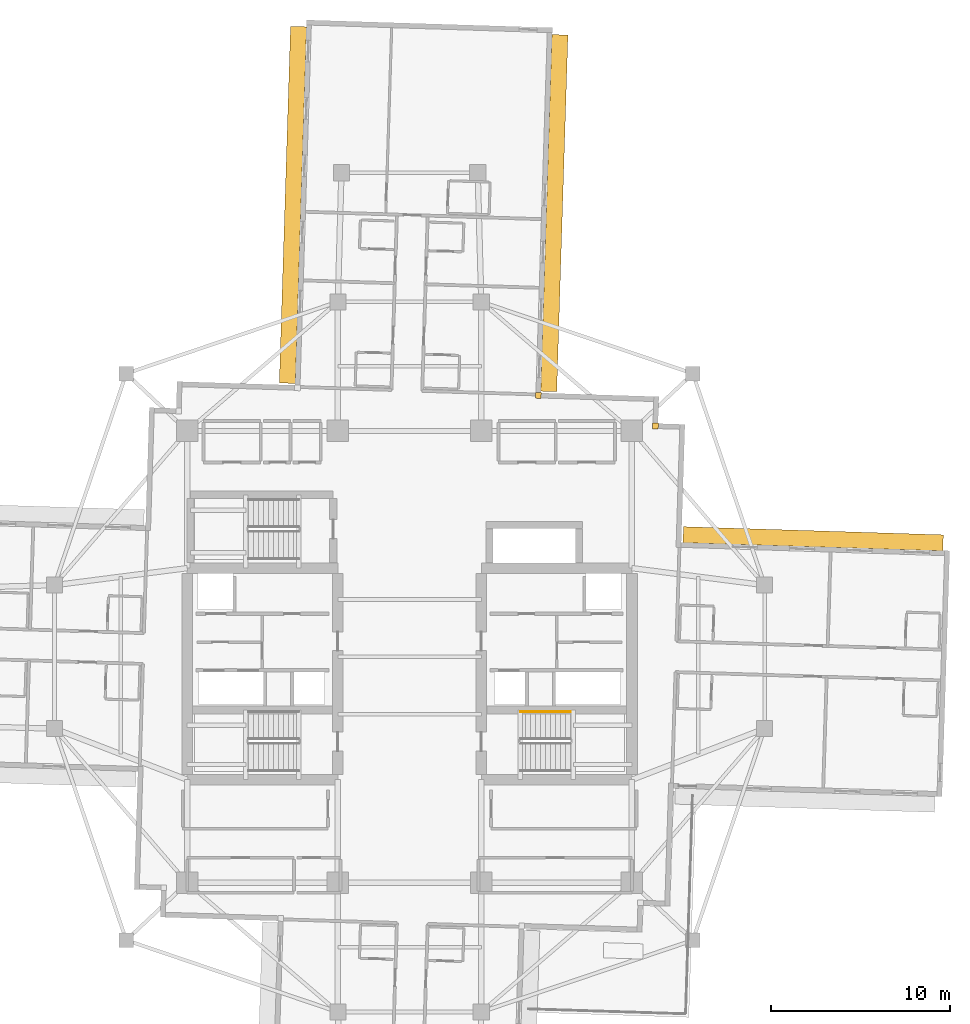
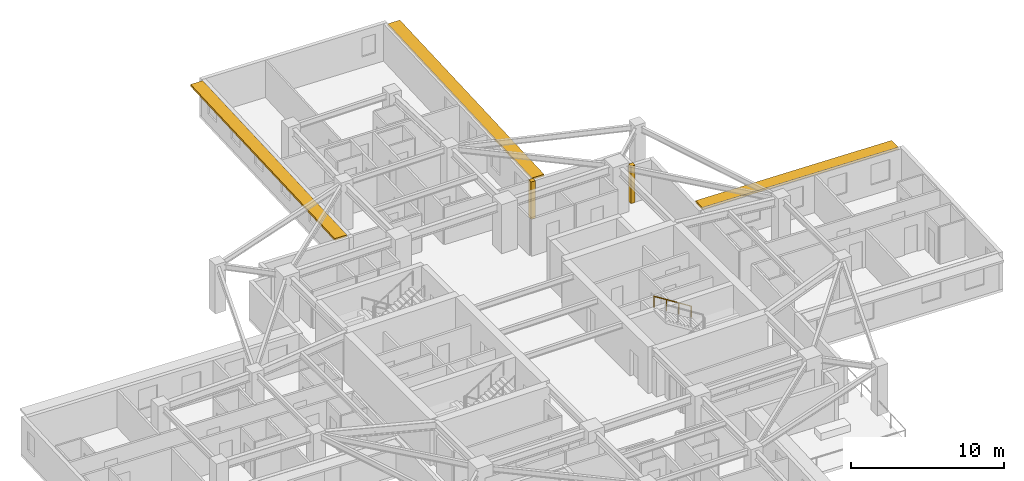
# One storey, part 14 of 14: 3 shading devices, 2 coverings, 1 railing.
"""IFC4 building model written with IfcOpenShell, lengths in metres."""

from ifc_helpers import new_model, si_unit, direction, frame, origin, origin_2d, place, context, subcontext, project, spatial, rectangle, circle, extrude, material, layer, layer_set, type_object, element, save


model = new_model("IFC4")

# Units and contexts
model_context = context("Model", 3, precision=1e-05, world=origin(), true_north=direction((0.0, 1.0)))
body_context = subcontext(model_context, "Body", "Model", "MODEL_VIEW")
ifc_project = project(units=[si_unit("LENGTHUNIT", "METRE"), si_unit("AREAUNIT", "SQUARE_METRE"), si_unit("VOLUMEUNIT", "CUBIC_METRE"), si_unit("PLANEANGLEUNIT", "RADIAN"), si_unit("MASSUNIT", "GRAM", prefix="KILO")], contexts=[model_context])

# Site, building, storey
site_placement = place(None, origin())
site = spatial("IfcSite", under=ifc_project, at=site_placement, CompositionType="ELEMENT")
building_placement = place(site_placement, origin())
building = spatial("IfcBuilding", under=site, at=building_placement, Name="Qingluan Cross Belvedere", CompositionType="ELEMENT")
storey_placement = place(building_placement, frame((0.0, 0.0, 176.10009765625)))
storey = spatial("IfcBuildingStorey", under=building, at=storey_placement, Name="L44", CompositionType="ELEMENT", Elevation=176.10009765625)

# Coverings
ifc_material_1 = material(Name="Precast concrete C45", Category="concrete")
ifc_layer_1 = layer(ifc_material_1, 0.1201171875, Name="ConcreteSpandrelCladding_120")
ifc_layer_set_1 = layer_set([ifc_layer_1], Name="Precast concrete C45")
covering_type = type_object("IfcCoveringType", Name="ConcreteSpandrelCladding_120", PredefinedType="CLADDING", material=ifc_layer_set_1)
for number, where, z_axis, x_axis, name in (
    (1, (13.711181640625, 12.875732421875, 0.0), (0.0, 0.0, 1.0), (0.999506560366, -0.031410759078, 0.0), "Corner closure L44-NE1"),
    (2, (7.181640625, 14.58154296875, 0.0), (0.0, 0.0, 1.0), (0.999506560366, -0.031410759078, 0.0), "Corner closure L44-NE2"),
):
    element("IfcCovering", number, at=place(storey_placement, frame(where, z_axis=z_axis, x_axis=x_axis)), inside=storey, type_object=covering_type, Name=name, PredefinedType="CLADDING", context=body_context, shape_type="SweptSolid", body=[
        extrude(rectangle(XDim=0.320068359375, YDim=0.320068359375, at=origin_2d()), origin(), (0.0, 0.0, 1.0), 2.969970703125),
    ])

# Shading devices
ifc_material_2 = material(Name="Precast concrete C45", Category="concrete")
ifc_layer_2 = layer(ifc_material_2, 0.159912109375, Name="ConcreteSunshadeBand_900")
ifc_layer_set_2 = layer_set([ifc_layer_2], Name="Precast concrete C45")
shading_device_type = type_object("IfcShadingDeviceType", Name="ConcreteSunshadeBand_900", PredefinedType="USERDEFINED", material=ifc_layer_set_2)
shading_device_placement = place(storey_placement, frame((22.508056640625, 6.586181640625, 2.7900390625), z_axis=(0.0, 0.0, 1.0), x_axis=(-0.999506645453, 0.031408051437, 0.0)))
element("IfcShadingDevice", 3, at=shading_device_placement, inside=storey, type_object=shading_device_type, Name="Concrete SUNSHADE L44-EB", ObjectType="SUNSHADE", PredefinedType="USERDEFINED", context=body_context, shape_type="SweptSolid", body=[
    extrude(rectangle(XDim=14.5, YDim=0.89990234375, at=origin_2d()), origin(), (0.0, 0.0, 1.0), 0.159912109375),
])
for number, where, z_axis, x_axis, name in (
    (4, (8.0712890625, 24.74853515625, 2.7900390625), (0.0, 0.0, 1.0), (0.031407934627, 0.999506649124, 0.0), "Concrete SUNSHADE L44-NA"),
    (5, (-6.50146484375, 25.206787109375, 2.7900390625), (0.0, 0.0, 1.0), (-0.031407934627, -0.999506649124, 0.0), "Concrete SUNSHADE L44-NB"),
):
    element("IfcShadingDevice", number, at=place(storey_placement, frame(where, z_axis=z_axis, x_axis=x_axis)), inside=storey, type_object=shading_device_type, Name=name, ObjectType="SUNSHADE", PredefinedType="USERDEFINED", context=body_context, shape_type="SweptSolid", body=[
        extrude(rectangle(XDim=19.89990234375, YDim=0.89990234375, at=origin_2d()), origin(), (0.0, 0.0, 1.0), 0.159912109375),
    ])

# Railing
ifc_material_3 = material(Name="Brushed stainless steel tubular handrail", Category="steel")
railing_type = type_object("IfcRailingType", Name="StairPitchHandrail_900", PredefinedType="HANDRAIL", material=ifc_material_3)
railing_placement = place(storey_placement, frame((8.97998046875, -3.050048828125, 2.127197265625)))
element("IfcRailing", 6, at=railing_placement, inside=storey, type_object=railing_type, Name="L44 ST2 stair handrail 2", PredefinedType="HANDRAIL", context=body_context, shape_type="SweptSolid", body=[
    extrude(circle(Radius=0.02392578125, at=origin_2d()), frame((0.0, 0.0, 0.8759765625), z_axis=(-0.844908973607, 0.0, 0.534910110503), x_axis=(0.0, -1.0, 0.0)), (0.0, 0.0, 1.0), 3.31396484375),
    extrude(circle(Radius=0.02099609375, at=origin_2d()), origin(), (0.0, 0.0, 1.0), 0.851806640625),
    extrude(circle(Radius=0.02099609375, at=origin_2d()), frame((-0.933349609375, 0.0, 0.5908203125)), (0.0, 0.0, 1.0), 0.851806640625),
    extrude(circle(Radius=0.02099609375, at=origin_2d()), frame((-1.86669921875, 0.0, 1.181884765625)), (0.0, 0.0, 1.0), 0.851806640625),
    extrude(circle(Radius=0.02099609375, at=origin_2d()), frame((-2.800048828125, 0.0, 1.772705078125)), (0.0, 0.0, 1.0), 0.851806640625),
])

save(model, "model.ifc")
